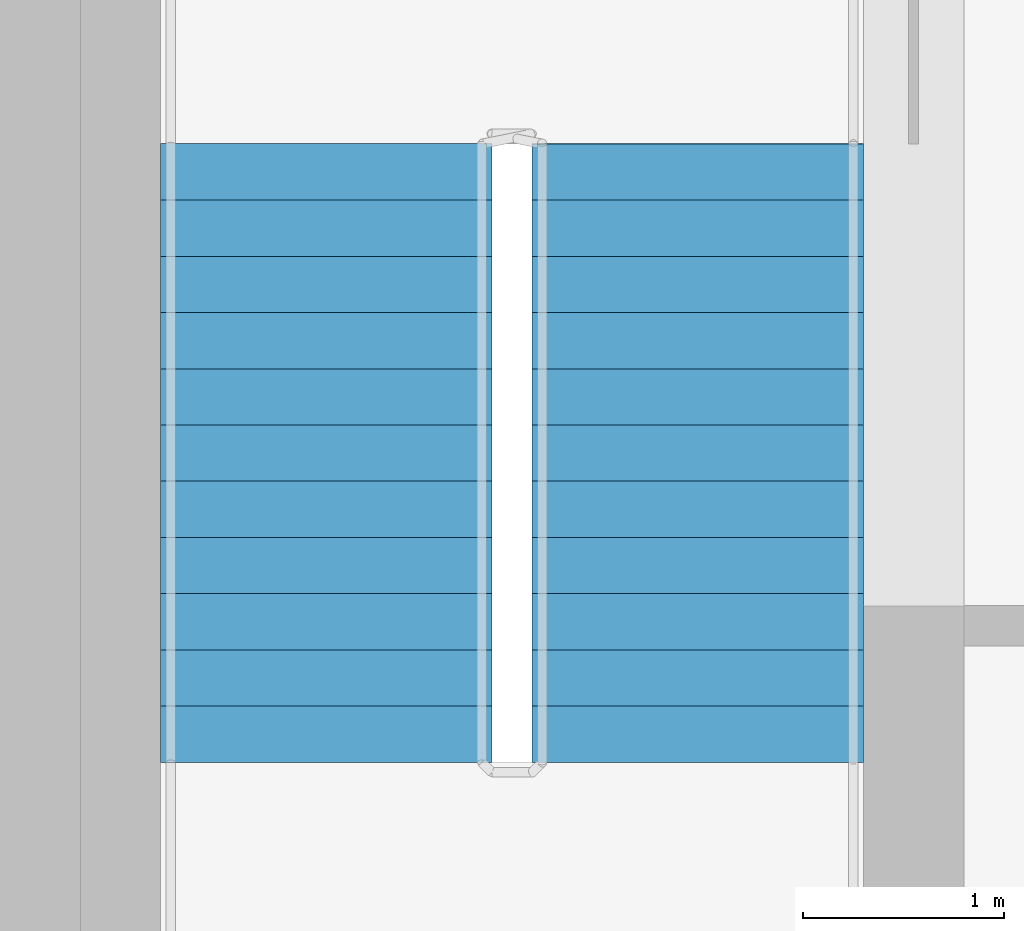
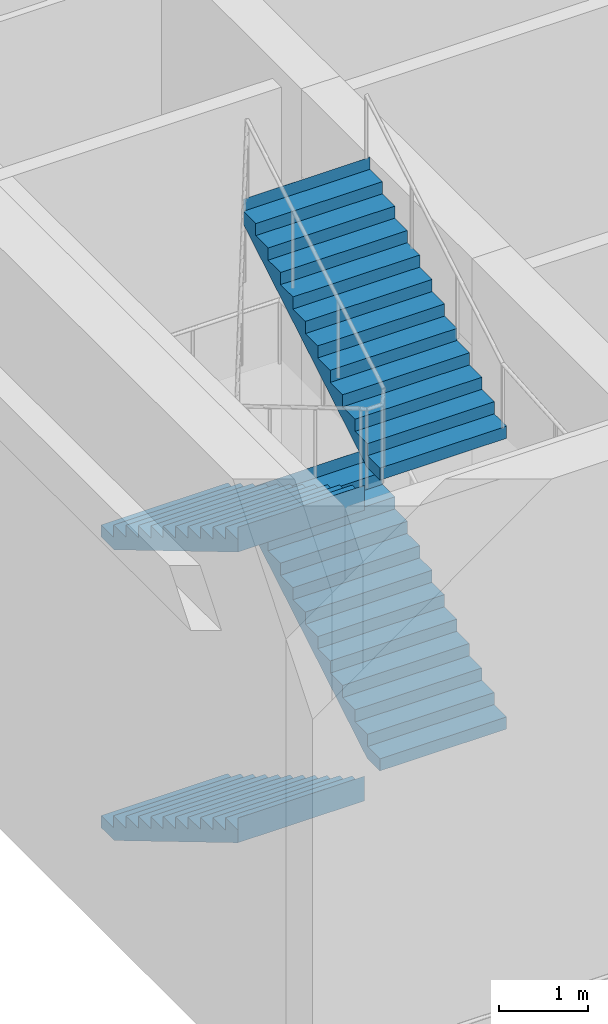
# One storey, part 4 of 11: 4 stair flights, 1 element without a shape of its own.
"""IFC4 building model written with IfcOpenShell, lengths in metres."""

from ifc_helpers import new_model, si_unit, direction, frame, origin, place, context, subcontext, project, spatial, polyline, outline, extrude, material, type_object, element, aggregate, save


model = new_model("IFC4")

# Units and contexts
model_context = context("Model", 3, precision=1e-05, world=origin(), true_north=direction((0.0, 1.0)))
body_context = subcontext(model_context, "Body", "Model", "MODEL_VIEW")
ifc_project = project(units=[si_unit("LENGTHUNIT", "METRE"), si_unit("AREAUNIT", "SQUARE_METRE"), si_unit("VOLUMEUNIT", "CUBIC_METRE"), si_unit("PLANEANGLEUNIT", "RADIAN"), si_unit("MASSUNIT", "GRAM", prefix="KILO")], contexts=[model_context])

# Site, building, storey
site_placement = place(None, origin())
site = spatial("IfcSite", under=ifc_project, at=site_placement, CompositionType="ELEMENT")
building_placement = place(site_placement, origin())
building = spatial("IfcBuilding", under=site, at=building_placement, Name="Tamorin Gate", CompositionType="ELEMENT")
storey_placement = place(building_placement, frame((0.0, 0.0, 258.199951171875)))
storey = spatial("IfcBuildingStorey", under=building, at=storey_placement, Name="L65", CompositionType="ELEMENT", Elevation=258.199951171875)

# Stair, stair flights
ifc_material = material(Name="Concrete C40/50", Category="concrete")
stair_type = type_object("IfcStairType", Name="Exit stair", PredefinedType="HALF_TURN_STAIR", material=ifc_material)
stair_placement = place(storey_placement, origin())
stair = element("IfcStair", 1, at=stair_placement, inside=storey, type_object=stair_type, Name="L65 stair ST1", PredefinedType="HALF_TURN_STAIR")
stair_flight_type = type_object("IfcStairFlightType", Name="Exit stair flight", PredefinedType="STRAIGHT", material=ifc_material)
stair_flight_1_placement = place(storey_placement, frame((31.824951171875, 66.5, 0.0), z_axis=(0.0, 0.0, 1.0), x_axis=(0.0, -1.0, 0.0)))
stair_flight_1 = element("IfcStairFlight", 2, at=stair_flight_1_placement, type_object=stair_flight_type, Name="ST1 flight 1", NumberOfRisers=12, NumberOfTreads=11, PredefinedType="STRAIGHT", RiserHeight=0.166666667, TreadLength=0.28, context=body_context, shape_type="SweptSolid", body=[
    extrude(outline(polyline([(-0.00048828125, 0.0), (-0.00048828125, 0.001708984375), (-0.00048828125, 0.00341796875), (-0.00048828125, 0.0048828125), (-0.00048828125, 0.006591796875), (-0.00048828125, 0.00830078125), (-0.00048828125, 0.010009765625), (-0.00048828125, 0.011474609375), (-0.00048828125, 0.01318359375), (-0.00048828125, 0.014892578125), (-0.00048828125, 0.0166015625), (-0.00048828125, 0.01806640625), (-0.00048828125, 0.019775390625), (-0.00048828125, 0.021484375), (-0.00048828125, 0.023193359375), (-0.00048828125, 0.024658203125), (-0.00048828125, 0.0263671875), (-0.00048828125, 0.028076171875), (-0.00048828125, 0.02978515625), (-0.00048828125, 0.03125), (-0.00048828125, 0.032958984375), (-0.00048828125, 0.03466796875), (-0.00048828125, 0.036376953125), (-0.00048828125, 0.037841796875), (-0.00048828125, 0.03955078125), (-0.00048828125, 0.041259765625), (-0.00048828125, 0.04296875), (-0.00048828125, 0.04443359375), (-0.00048828125, 0.046142578125), (-0.00048828125, 0.0478515625), (-0.00048828125, 0.049560546875), (-0.00048828125, 0.05126953125), (-0.00048828125, 0.052734375), (-0.00048828125, 0.054443359375), (-0.00048828125, 0.05615234375), (-0.00048828125, 0.057861328125), (-0.00048828125, 0.059326171875), (-0.00048828125, 0.06103515625), (-0.00048828125, 0.062744140625), (-0.00048828125, 0.064453125), (-0.00048828125, 0.06591796875), (-0.00048828125, 0.067626953125), (-0.00048828125, 0.0693359375), (-0.00048828125, 0.071044921875), (-0.00048828125, 0.072509765625), (-0.00048828125, 0.07421875), (-0.00048828125, 0.075927734375), (-0.00048828125, 0.07763671875), (-0.00048828125, 0.0791015625), (-0.00048828125, 0.080810546875), (-0.00048828125, 0.08251953125), (-0.00048828125, 0.084228515625), (-0.00048828125, 0.085693359375), (-0.00048828125, 0.08740234375), (-0.00048828125, 0.089111328125), (-0.00048828125, 0.0908203125), (-0.00048828125, 0.092529296875), (-0.00048828125, 0.093994140625), (-0.00048828125, 0.095703125), (-0.00048828125, 0.097412109375), (-0.00048828125, 0.09912109375), (-0.00048828125, 0.1005859375), (-0.00048828125, 0.102294921875), (-0.00048828125, 0.10400390625), (-0.00048828125, 0.105712890625), (-0.00048828125, 0.107177734375), (-0.00048828125, 0.10888671875), (-0.00048828125, 0.110595703125), (-0.00048828125, 0.1123046875), (-0.00048828125, 0.11376953125), (-0.00048828125, 0.115478515625), (-0.00048828125, 0.1171875), (-0.00048828125, 0.118896484375), (-0.00048828125, 0.120361328125), (-0.00048828125, 0.1220703125), (-0.00048828125, 0.123779296875), (-0.00048828125, 0.12548828125), (-0.00048828125, 0.126953125), (-0.00048828125, 0.128662109375), (-0.00048828125, 0.13037109375), (-0.00048828125, 0.132080078125), (-0.00048828125, 0.133544921875), (-0.00048828125, 0.13525390625), (-0.00048828125, 0.136962890625), (-0.00048828125, 0.138671875), (-0.00048828125, 0.140380859375), (-0.00048828125, 0.141845703125), (-0.00048828125, 0.1435546875), (-0.00048828125, 0.145263671875), (-0.00048828125, 0.14697265625), (-0.00048828125, 0.1484375), (-0.00048828125, 0.150146484375), (-0.00048828125, 0.15185546875), (-0.00048828125, 0.153564453125), (-0.00048828125, 0.155029296875), (-0.00048828125, 0.15673828125), (-0.00048828125, 0.158447265625), (-0.00048828125, 0.16015625), (-0.00048828125, 0.16162109375), (-0.00048828125, 0.163330078125), (-0.00048828125, 0.1650390625), (-0.00048828125, 0.166748046875), (0.280029296875, 0.166748046875), (0.280029296875, 0.333251953125), (0.56005859375, 0.333251953125), (0.56005859375, 0.5), (0.840087890625, 0.5), (0.840087890625, 0.666748046875), (1.1201171875, 0.666748046875), (1.1201171875, 0.833251953125), (1.39990234375, 0.833251953125), (1.39990234375, 1.0), (1.679931640625, 1.0), (1.679931640625, 1.166748046875), (1.9599609375, 1.166748046875), (1.9599609375, 1.333251953125), (2.239990234375, 1.333251953125), (2.239990234375, 1.5), (2.52001953125, 1.5), (2.52001953125, 1.666748046875), (2.800048828125, 1.666748046875), (2.800048828125, 1.833251953125), (3.080078125, 1.833251953125), (3.080078125, 2.0), (3.08056640625, 2.0), (3.08056640625, 1.99658203125), (3.08056640625, 1.9931640625), (3.08056640625, 1.98974609375), (3.08056640625, 1.986572265625), (3.08056640625, 1.983154296875), (3.08056640625, 1.979736328125), (3.08056640625, 1.976318359375), (3.08056640625, 1.972900390625), (3.08056640625, 1.969482421875), (3.08056640625, 1.96630859375), (3.08056640625, 1.962890625), (3.08056640625, 1.95947265625), (3.08056640625, 1.9560546875), (3.08056640625, 1.95263671875), (3.08056640625, 1.94921875), (3.08056640625, 1.946044921875), (3.08056640625, 1.942626953125), (3.08056640625, 1.939208984375), (3.08056640625, 1.935791015625), (3.08056640625, 1.932373046875), (3.08056640625, 1.928955078125), (3.08056640625, 1.92578125), (3.08056640625, 1.92236328125), (3.08056640625, 1.9189453125), (3.08056640625, 1.91552734375), (3.08056640625, 1.912109375), (3.08056640625, 1.90869140625), (3.08056640625, 1.905517578125), (3.08056640625, 1.902099609375), (3.08056640625, 1.898681640625), (3.08056640625, 1.895263671875), (3.08056640625, 1.891845703125), (3.08056640625, 1.888427734375), (3.08056640625, 1.88525390625), (3.08056640625, 1.8818359375), (3.08056640625, 1.87841796875), (3.08056640625, 1.875), (3.08056640625, 1.87158203125), (3.08056640625, 1.8681640625), (3.08056640625, 1.864990234375), (3.08056640625, 1.861572265625), (3.08056640625, 1.858154296875), (3.08056640625, 1.854736328125), (3.08056640625, 1.851318359375), (3.08056640625, 1.847900390625), (3.08056640625, 1.8447265625), (3.08056640625, 1.84130859375), (3.08056640625, 1.837890625), (3.08056640625, 1.83447265625), (3.08056640625, 1.8310546875), (3.08056640625, 1.82763671875), (3.08056640625, 1.824462890625), (3.08056640625, 1.821044921875), (3.08056640625, 1.817626953125), (3.08056640625, 1.814208984375), (3.08056640625, 1.810791015625), (3.08056640625, 1.807373046875), (3.08056640625, 1.80419921875), (3.08056640625, 1.80078125), (3.08056640625, 1.79736328125), (3.08056640625, 1.7939453125), (3.08056640625, 1.79052734375), (3.08056640625, 1.787109375), (3.08056640625, 1.783935546875), (3.08056640625, 1.780517578125), (3.08056640625, 1.777099609375), (3.08056640625, 1.773681640625), (3.08056640625, 1.770263671875), (3.08056640625, 1.766845703125), (3.08056640625, 1.763671875), (3.08056640625, 1.76025390625), (3.08056640625, 1.7568359375), (3.08056640625, 1.75341796875), (3.08056640625, 1.75), (3.08056640625, 1.74658203125), (3.08056640625, 1.743408203125), (3.08056640625, 1.739990234375), (3.08056640625, 1.736572265625), (3.08056640625, 1.733154296875), (3.08056640625, 1.729736328125), (3.08056640625, 1.726318359375), (3.08056640625, 1.72314453125), (3.08056640625, 1.7197265625), (3.08056640625, 1.71630859375), (3.08056640625, 1.712890625), (3.08056640625, 1.70947265625), (3.08056640625, 1.7060546875), (3.08056640625, 1.702880859375), (3.08056640625, 1.699462890625), (3.08056640625, 1.696044921875), (3.08056640625, 1.692626953125), (3.08056640625, 1.689208984375), (3.08056640625, 1.685791015625), (3.08056640625, 1.6826171875), (3.08056640625, 1.67919921875), (3.08056640625, 1.67578125), (3.08056640625, 1.67236328125), (3.08056640625, 1.6689453125), (3.08056640625, 1.66552734375), (3.08056640625, 1.662353515625), (3.08056640625, 1.658935546875), (3.080078125, 1.658935546875), (0.29296875, 0.0), (-0.00048828125, 0.0)])), frame((0.0, 0.824951171875, 0.0), z_axis=(0.0, -1.0, 0.0), x_axis=(1.0, 0.0, 0.0)), (0.0, 0.0, 1.0), 1.64990234375),
])
stair_flight_2_placement = place(storey_placement, frame((33.675048828125, 63.419921875, 2.0), z_axis=(0.0, 0.0, 1.0), x_axis=(0.0, 1.0, 0.0)))
stair_flight_2 = element("IfcStairFlight", 3, at=stair_flight_2_placement, type_object=stair_flight_type, Name="ST1 flight 2", NumberOfRisers=12, NumberOfTreads=11, PredefinedType="STRAIGHT", RiserHeight=0.166666667, TreadLength=0.28, context=body_context, shape_type="SweptSolid", body=[
    extrude(outline(polyline([(-0.00048828125, 0.0), (-0.00048828125, 0.001708984375), (-0.00048828125, 0.00341796875), (-0.00048828125, 0.0048828125), (-0.00048828125, 0.006591796875), (-0.00048828125, 0.00830078125), (-0.00048828125, 0.010009765625), (-0.00048828125, 0.011474609375), (-0.00048828125, 0.01318359375), (-0.00048828125, 0.014892578125), (-0.00048828125, 0.0166015625), (-0.00048828125, 0.01806640625), (-0.00048828125, 0.019775390625), (-0.00048828125, 0.021484375), (-0.00048828125, 0.023193359375), (-0.00048828125, 0.024658203125), (-0.00048828125, 0.0263671875), (-0.00048828125, 0.028076171875), (-0.00048828125, 0.02978515625), (-0.00048828125, 0.03125), (-0.00048828125, 0.032958984375), (-0.00048828125, 0.03466796875), (-0.00048828125, 0.036376953125), (-0.00048828125, 0.037841796875), (-0.00048828125, 0.03955078125), (-0.00048828125, 0.041259765625), (-0.00048828125, 0.04296875), (-0.00048828125, 0.04443359375), (-0.00048828125, 0.046142578125), (-0.00048828125, 0.0478515625), (-0.00048828125, 0.049560546875), (-0.00048828125, 0.05126953125), (-0.00048828125, 0.052734375), (-0.00048828125, 0.054443359375), (-0.00048828125, 0.05615234375), (-0.00048828125, 0.057861328125), (-0.00048828125, 0.059326171875), (-0.00048828125, 0.06103515625), (-0.00048828125, 0.062744140625), (-0.00048828125, 0.064453125), (-0.00048828125, 0.06591796875), (-0.00048828125, 0.067626953125), (-0.00048828125, 0.0693359375), (-0.00048828125, 0.071044921875), (-0.00048828125, 0.072509765625), (-0.00048828125, 0.07421875), (-0.00048828125, 0.075927734375), (-0.00048828125, 0.07763671875), (-0.00048828125, 0.0791015625), (-0.00048828125, 0.080810546875), (-0.00048828125, 0.08251953125), (-0.00048828125, 0.084228515625), (-0.00048828125, 0.085693359375), (-0.00048828125, 0.08740234375), (-0.00048828125, 0.089111328125), (-0.00048828125, 0.0908203125), (-0.00048828125, 0.092529296875), (-0.00048828125, 0.093994140625), (-0.00048828125, 0.095703125), (-0.00048828125, 0.097412109375), (-0.00048828125, 0.09912109375), (-0.00048828125, 0.1005859375), (-0.00048828125, 0.102294921875), (-0.00048828125, 0.10400390625), (-0.00048828125, 0.105712890625), (-0.00048828125, 0.107177734375), (-0.00048828125, 0.10888671875), (-0.00048828125, 0.110595703125), (-0.00048828125, 0.1123046875), (-0.00048828125, 0.11376953125), (-0.00048828125, 0.115478515625), (-0.00048828125, 0.1171875), (-0.00048828125, 0.118896484375), (-0.00048828125, 0.120361328125), (-0.00048828125, 0.1220703125), (-0.00048828125, 0.123779296875), (-0.00048828125, 0.12548828125), (-0.00048828125, 0.126953125), (-0.00048828125, 0.128662109375), (-0.00048828125, 0.13037109375), (-0.00048828125, 0.132080078125), (-0.00048828125, 0.133544921875), (-0.00048828125, 0.13525390625), (-0.00048828125, 0.136962890625), (-0.00048828125, 0.138671875), (-0.00048828125, 0.140380859375), (-0.00048828125, 0.141845703125), (-0.00048828125, 0.1435546875), (-0.00048828125, 0.145263671875), (-0.00048828125, 0.14697265625), (-0.00048828125, 0.1484375), (-0.00048828125, 0.150146484375), (-0.00048828125, 0.15185546875), (-0.00048828125, 0.153564453125), (-0.00048828125, 0.155029296875), (-0.00048828125, 0.15673828125), (-0.00048828125, 0.158447265625), (-0.00048828125, 0.16015625), (-0.00048828125, 0.16162109375), (-0.00048828125, 0.163330078125), (-0.00048828125, 0.1650390625), (-0.00048828125, 0.166748046875), (0.280029296875, 0.166748046875), (0.280029296875, 0.333251953125), (0.56005859375, 0.333251953125), (0.56005859375, 0.5), (0.840087890625, 0.5), (0.840087890625, 0.666748046875), (1.1201171875, 0.666748046875), (1.1201171875, 0.833251953125), (1.39990234375, 0.833251953125), (1.39990234375, 1.0), (1.679931640625, 1.0), (1.679931640625, 1.166748046875), (1.9599609375, 1.166748046875), (1.9599609375, 1.333251953125), (2.239990234375, 1.333251953125), (2.239990234375, 1.5), (2.52001953125, 1.5), (2.52001953125, 1.666748046875), (2.800048828125, 1.666748046875), (2.800048828125, 1.833251953125), (3.080078125, 1.833251953125), (3.080078125, 2.0), (3.08056640625, 2.0), (3.08056640625, 1.99658203125), (3.08056640625, 1.9931640625), (3.08056640625, 1.98974609375), (3.08056640625, 1.986572265625), (3.08056640625, 1.983154296875), (3.08056640625, 1.979736328125), (3.08056640625, 1.976318359375), (3.08056640625, 1.972900390625), (3.08056640625, 1.969482421875), (3.08056640625, 1.96630859375), (3.08056640625, 1.962890625), (3.08056640625, 1.95947265625), (3.08056640625, 1.9560546875), (3.08056640625, 1.95263671875), (3.08056640625, 1.94921875), (3.08056640625, 1.946044921875), (3.08056640625, 1.942626953125), (3.08056640625, 1.939208984375), (3.08056640625, 1.935791015625), (3.08056640625, 1.932373046875), (3.08056640625, 1.928955078125), (3.08056640625, 1.92578125), (3.08056640625, 1.92236328125), (3.08056640625, 1.9189453125), (3.08056640625, 1.91552734375), (3.08056640625, 1.912109375), (3.08056640625, 1.90869140625), (3.08056640625, 1.905517578125), (3.08056640625, 1.902099609375), (3.08056640625, 1.898681640625), (3.08056640625, 1.895263671875), (3.08056640625, 1.891845703125), (3.08056640625, 1.888427734375), (3.08056640625, 1.88525390625), (3.08056640625, 1.8818359375), (3.08056640625, 1.87841796875), (3.08056640625, 1.875), (3.08056640625, 1.87158203125), (3.08056640625, 1.8681640625), (3.08056640625, 1.864990234375), (3.08056640625, 1.861572265625), (3.08056640625, 1.858154296875), (3.08056640625, 1.854736328125), (3.08056640625, 1.851318359375), (3.08056640625, 1.847900390625), (3.08056640625, 1.8447265625), (3.08056640625, 1.84130859375), (3.08056640625, 1.837890625), (3.08056640625, 1.83447265625), (3.08056640625, 1.8310546875), (3.08056640625, 1.82763671875), (3.08056640625, 1.824462890625), (3.08056640625, 1.821044921875), (3.08056640625, 1.817626953125), (3.08056640625, 1.814208984375), (3.08056640625, 1.810791015625), (3.08056640625, 1.807373046875), (3.08056640625, 1.80419921875), (3.08056640625, 1.80078125), (3.08056640625, 1.79736328125), (3.08056640625, 1.7939453125), (3.08056640625, 1.79052734375), (3.08056640625, 1.787109375), (3.08056640625, 1.783935546875), (3.08056640625, 1.780517578125), (3.08056640625, 1.777099609375), (3.08056640625, 1.773681640625), (3.08056640625, 1.770263671875), (3.08056640625, 1.766845703125), (3.08056640625, 1.763671875), (3.08056640625, 1.76025390625), (3.08056640625, 1.7568359375), (3.08056640625, 1.75341796875), (3.08056640625, 1.75), (3.08056640625, 1.74658203125), (3.08056640625, 1.743408203125), (3.08056640625, 1.739990234375), (3.08056640625, 1.736572265625), (3.08056640625, 1.733154296875), (3.08056640625, 1.729736328125), (3.08056640625, 1.726318359375), (3.08056640625, 1.72314453125), (3.08056640625, 1.7197265625), (3.08056640625, 1.71630859375), (3.08056640625, 1.712890625), (3.08056640625, 1.70947265625), (3.08056640625, 1.7060546875), (3.08056640625, 1.702880859375), (3.08056640625, 1.699462890625), (3.08056640625, 1.696044921875), (3.08056640625, 1.692626953125), (3.08056640625, 1.689208984375), (3.08056640625, 1.685791015625), (3.08056640625, 1.6826171875), (3.08056640625, 1.67919921875), (3.08056640625, 1.67578125), (3.08056640625, 1.67236328125), (3.08056640625, 1.6689453125), (3.08056640625, 1.66552734375), (3.08056640625, 1.662353515625), (3.08056640625, 1.658935546875), (3.080078125, 1.658935546875), (0.29296875, 0.0), (-0.00048828125, 0.0)])), frame((0.0, 0.824951171875, 0.0), z_axis=(0.0, -1.0, 0.0), x_axis=(1.0, 0.0, 0.0)), (0.0, 0.0, 1.0), 1.64990234375),
])
stair_flight_3_placement = place(storey_placement, frame((31.824951171875, 66.5, 4.0), z_axis=(0.0, 0.0, 1.0), x_axis=(0.0, -1.0, 0.0)))
stair_flight_3 = element("IfcStairFlight", 4, at=stair_flight_3_placement, type_object=stair_flight_type, Name="ST1 flight 3", NumberOfRisers=12, NumberOfTreads=11, PredefinedType="STRAIGHT", RiserHeight=0.166666667, TreadLength=0.28, context=body_context, shape_type="SweptSolid", body=[
    extrude(outline(polyline([(-0.00048828125, 0.0), (-0.00048828125, 0.001708984375), (-0.00048828125, 0.00341796875), (-0.00048828125, 0.0048828125), (-0.00048828125, 0.006591796875), (-0.00048828125, 0.00830078125), (-0.00048828125, 0.010009765625), (-0.00048828125, 0.011474609375), (-0.00048828125, 0.01318359375), (-0.00048828125, 0.014892578125), (-0.00048828125, 0.0166015625), (-0.00048828125, 0.01806640625), (-0.00048828125, 0.019775390625), (-0.00048828125, 0.021484375), (-0.00048828125, 0.023193359375), (-0.00048828125, 0.024658203125), (-0.00048828125, 0.0263671875), (-0.00048828125, 0.028076171875), (-0.00048828125, 0.02978515625), (-0.00048828125, 0.03125), (-0.00048828125, 0.032958984375), (-0.00048828125, 0.03466796875), (-0.00048828125, 0.036376953125), (-0.00048828125, 0.037841796875), (-0.00048828125, 0.03955078125), (-0.00048828125, 0.041259765625), (-0.00048828125, 0.04296875), (-0.00048828125, 0.04443359375), (-0.00048828125, 0.046142578125), (-0.00048828125, 0.0478515625), (-0.00048828125, 0.049560546875), (-0.00048828125, 0.05126953125), (-0.00048828125, 0.052734375), (-0.00048828125, 0.054443359375), (-0.00048828125, 0.05615234375), (-0.00048828125, 0.057861328125), (-0.00048828125, 0.059326171875), (-0.00048828125, 0.06103515625), (-0.00048828125, 0.062744140625), (-0.00048828125, 0.064453125), (-0.00048828125, 0.06591796875), (-0.00048828125, 0.067626953125), (-0.00048828125, 0.0693359375), (-0.00048828125, 0.071044921875), (-0.00048828125, 0.072509765625), (-0.00048828125, 0.07421875), (-0.00048828125, 0.075927734375), (-0.00048828125, 0.07763671875), (-0.00048828125, 0.0791015625), (-0.00048828125, 0.080810546875), (-0.00048828125, 0.08251953125), (-0.00048828125, 0.084228515625), (-0.00048828125, 0.085693359375), (-0.00048828125, 0.08740234375), (-0.00048828125, 0.089111328125), (-0.00048828125, 0.0908203125), (-0.00048828125, 0.092529296875), (-0.00048828125, 0.093994140625), (-0.00048828125, 0.095703125), (-0.00048828125, 0.097412109375), (-0.00048828125, 0.09912109375), (-0.00048828125, 0.1005859375), (-0.00048828125, 0.102294921875), (-0.00048828125, 0.10400390625), (-0.00048828125, 0.105712890625), (-0.00048828125, 0.107177734375), (-0.00048828125, 0.10888671875), (-0.00048828125, 0.110595703125), (-0.00048828125, 0.1123046875), (-0.00048828125, 0.11376953125), (-0.00048828125, 0.115478515625), (-0.00048828125, 0.1171875), (-0.00048828125, 0.118896484375), (-0.00048828125, 0.120361328125), (-0.00048828125, 0.1220703125), (-0.00048828125, 0.123779296875), (-0.00048828125, 0.12548828125), (-0.00048828125, 0.126953125), (-0.00048828125, 0.128662109375), (-0.00048828125, 0.13037109375), (-0.00048828125, 0.132080078125), (-0.00048828125, 0.133544921875), (-0.00048828125, 0.13525390625), (-0.00048828125, 0.136962890625), (-0.00048828125, 0.138671875), (-0.00048828125, 0.140380859375), (-0.00048828125, 0.141845703125), (-0.00048828125, 0.1435546875), (-0.00048828125, 0.145263671875), (-0.00048828125, 0.14697265625), (-0.00048828125, 0.1484375), (-0.00048828125, 0.150146484375), (-0.00048828125, 0.15185546875), (-0.00048828125, 0.153564453125), (-0.00048828125, 0.155029296875), (-0.00048828125, 0.15673828125), (-0.00048828125, 0.158447265625), (-0.00048828125, 0.16015625), (-0.00048828125, 0.16162109375), (-0.00048828125, 0.163330078125), (-0.00048828125, 0.1650390625), (-0.00048828125, 0.166748046875), (0.280029296875, 0.166748046875), (0.280029296875, 0.333251953125), (0.56005859375, 0.333251953125), (0.56005859375, 0.5), (0.840087890625, 0.5), (0.840087890625, 0.666748046875), (1.1201171875, 0.666748046875), (1.1201171875, 0.833251953125), (1.39990234375, 0.833251953125), (1.39990234375, 1.0), (1.679931640625, 1.0), (1.679931640625, 1.166748046875), (1.9599609375, 1.166748046875), (1.9599609375, 1.333251953125), (2.239990234375, 1.333251953125), (2.239990234375, 1.5), (2.52001953125, 1.5), (2.52001953125, 1.666748046875), (2.800048828125, 1.666748046875), (2.800048828125, 1.833251953125), (3.080078125, 1.833251953125), (3.080078125, 2.0), (3.08056640625, 2.0), (3.08056640625, 1.99658203125), (3.08056640625, 1.9931640625), (3.08056640625, 1.98974609375), (3.08056640625, 1.986572265625), (3.08056640625, 1.983154296875), (3.08056640625, 1.979736328125), (3.08056640625, 1.976318359375), (3.08056640625, 1.972900390625), (3.08056640625, 1.969482421875), (3.08056640625, 1.96630859375), (3.08056640625, 1.962890625), (3.08056640625, 1.95947265625), (3.08056640625, 1.9560546875), (3.08056640625, 1.95263671875), (3.08056640625, 1.94921875), (3.08056640625, 1.946044921875), (3.08056640625, 1.942626953125), (3.08056640625, 1.939208984375), (3.08056640625, 1.935791015625), (3.08056640625, 1.932373046875), (3.08056640625, 1.928955078125), (3.08056640625, 1.92578125), (3.08056640625, 1.92236328125), (3.08056640625, 1.9189453125), (3.08056640625, 1.91552734375), (3.08056640625, 1.912109375), (3.08056640625, 1.90869140625), (3.08056640625, 1.905517578125), (3.08056640625, 1.902099609375), (3.08056640625, 1.898681640625), (3.08056640625, 1.895263671875), (3.08056640625, 1.891845703125), (3.08056640625, 1.888427734375), (3.08056640625, 1.88525390625), (3.08056640625, 1.8818359375), (3.08056640625, 1.87841796875), (3.08056640625, 1.875), (3.08056640625, 1.87158203125), (3.08056640625, 1.8681640625), (3.08056640625, 1.864990234375), (3.08056640625, 1.861572265625), (3.08056640625, 1.858154296875), (3.08056640625, 1.854736328125), (3.08056640625, 1.851318359375), (3.08056640625, 1.847900390625), (3.08056640625, 1.8447265625), (3.08056640625, 1.84130859375), (3.08056640625, 1.837890625), (3.08056640625, 1.83447265625), (3.08056640625, 1.8310546875), (3.08056640625, 1.82763671875), (3.08056640625, 1.824462890625), (3.08056640625, 1.821044921875), (3.08056640625, 1.817626953125), (3.08056640625, 1.814208984375), (3.08056640625, 1.810791015625), (3.08056640625, 1.807373046875), (3.08056640625, 1.80419921875), (3.08056640625, 1.80078125), (3.08056640625, 1.79736328125), (3.08056640625, 1.7939453125), (3.08056640625, 1.79052734375), (3.08056640625, 1.787109375), (3.08056640625, 1.783935546875), (3.08056640625, 1.780517578125), (3.08056640625, 1.777099609375), (3.08056640625, 1.773681640625), (3.08056640625, 1.770263671875), (3.08056640625, 1.766845703125), (3.08056640625, 1.763671875), (3.08056640625, 1.76025390625), (3.08056640625, 1.7568359375), (3.08056640625, 1.75341796875), (3.08056640625, 1.75), (3.08056640625, 1.74658203125), (3.08056640625, 1.743408203125), (3.08056640625, 1.739990234375), (3.08056640625, 1.736572265625), (3.08056640625, 1.733154296875), (3.08056640625, 1.729736328125), (3.08056640625, 1.726318359375), (3.08056640625, 1.72314453125), (3.08056640625, 1.7197265625), (3.08056640625, 1.71630859375), (3.08056640625, 1.712890625), (3.08056640625, 1.70947265625), (3.08056640625, 1.7060546875), (3.08056640625, 1.702880859375), (3.08056640625, 1.699462890625), (3.08056640625, 1.696044921875), (3.08056640625, 1.692626953125), (3.08056640625, 1.689208984375), (3.08056640625, 1.685791015625), (3.08056640625, 1.6826171875), (3.08056640625, 1.67919921875), (3.08056640625, 1.67578125), (3.08056640625, 1.67236328125), (3.08056640625, 1.6689453125), (3.08056640625, 1.66552734375), (3.08056640625, 1.662353515625), (3.08056640625, 1.658935546875), (3.080078125, 1.658935546875), (0.29296875, 0.0), (-0.00048828125, 0.0)])), frame((0.0, 0.824951171875, 0.0), z_axis=(0.0, -1.0, 0.0), x_axis=(1.0, 0.0, 0.0)), (0.0, 0.0, 1.0), 1.64990234375),
])
stair_flight_4_placement = place(storey_placement, frame((33.675048828125, 63.419921875, 6.0), z_axis=(0.0, 0.0, 1.0), x_axis=(0.0, 1.0, 0.0)))
stair_flight_4 = element("IfcStairFlight", 5, at=stair_flight_4_placement, type_object=stair_flight_type, Name="ST1 flight 4", NumberOfRisers=12, NumberOfTreads=11, PredefinedType="STRAIGHT", RiserHeight=0.166666667, TreadLength=0.28, context=body_context, shape_type="SweptSolid", body=[
    extrude(outline(polyline([(-0.00048828125, 0.0), (-0.00048828125, 0.001708984375), (-0.00048828125, 0.00341796875), (-0.00048828125, 0.0048828125), (-0.00048828125, 0.006591796875), (-0.00048828125, 0.00830078125), (-0.00048828125, 0.010009765625), (-0.00048828125, 0.011474609375), (-0.00048828125, 0.01318359375), (-0.00048828125, 0.014892578125), (-0.00048828125, 0.0166015625), (-0.00048828125, 0.01806640625), (-0.00048828125, 0.019775390625), (-0.00048828125, 0.021484375), (-0.00048828125, 0.023193359375), (-0.00048828125, 0.024658203125), (-0.00048828125, 0.0263671875), (-0.00048828125, 0.028076171875), (-0.00048828125, 0.02978515625), (-0.00048828125, 0.03125), (-0.00048828125, 0.032958984375), (-0.00048828125, 0.03466796875), (-0.00048828125, 0.036376953125), (-0.00048828125, 0.037841796875), (-0.00048828125, 0.03955078125), (-0.00048828125, 0.041259765625), (-0.00048828125, 0.04296875), (-0.00048828125, 0.04443359375), (-0.00048828125, 0.046142578125), (-0.00048828125, 0.0478515625), (-0.00048828125, 0.049560546875), (-0.00048828125, 0.05126953125), (-0.00048828125, 0.052734375), (-0.00048828125, 0.054443359375), (-0.00048828125, 0.05615234375), (-0.00048828125, 0.057861328125), (-0.00048828125, 0.059326171875), (-0.00048828125, 0.06103515625), (-0.00048828125, 0.062744140625), (-0.00048828125, 0.064453125), (-0.00048828125, 0.06591796875), (-0.00048828125, 0.067626953125), (-0.00048828125, 0.0693359375), (-0.00048828125, 0.071044921875), (-0.00048828125, 0.072509765625), (-0.00048828125, 0.07421875), (-0.00048828125, 0.075927734375), (-0.00048828125, 0.07763671875), (-0.00048828125, 0.0791015625), (-0.00048828125, 0.080810546875), (-0.00048828125, 0.08251953125), (-0.00048828125, 0.084228515625), (-0.00048828125, 0.085693359375), (-0.00048828125, 0.08740234375), (-0.00048828125, 0.089111328125), (-0.00048828125, 0.0908203125), (-0.00048828125, 0.092529296875), (-0.00048828125, 0.093994140625), (-0.00048828125, 0.095703125), (-0.00048828125, 0.097412109375), (-0.00048828125, 0.09912109375), (-0.00048828125, 0.1005859375), (-0.00048828125, 0.102294921875), (-0.00048828125, 0.10400390625), (-0.00048828125, 0.105712890625), (-0.00048828125, 0.107177734375), (-0.00048828125, 0.10888671875), (-0.00048828125, 0.110595703125), (-0.00048828125, 0.1123046875), (-0.00048828125, 0.11376953125), (-0.00048828125, 0.115478515625), (-0.00048828125, 0.1171875), (-0.00048828125, 0.118896484375), (-0.00048828125, 0.120361328125), (-0.00048828125, 0.1220703125), (-0.00048828125, 0.123779296875), (-0.00048828125, 0.12548828125), (-0.00048828125, 0.126953125), (-0.00048828125, 0.128662109375), (-0.00048828125, 0.13037109375), (-0.00048828125, 0.132080078125), (-0.00048828125, 0.133544921875), (-0.00048828125, 0.13525390625), (-0.00048828125, 0.136962890625), (-0.00048828125, 0.138671875), (-0.00048828125, 0.140380859375), (-0.00048828125, 0.141845703125), (-0.00048828125, 0.1435546875), (-0.00048828125, 0.145263671875), (-0.00048828125, 0.14697265625), (-0.00048828125, 0.1484375), (-0.00048828125, 0.150146484375), (-0.00048828125, 0.15185546875), (-0.00048828125, 0.153564453125), (-0.00048828125, 0.155029296875), (-0.00048828125, 0.15673828125), (-0.00048828125, 0.158447265625), (-0.00048828125, 0.16015625), (-0.00048828125, 0.16162109375), (-0.00048828125, 0.163330078125), (-0.00048828125, 0.1650390625), (-0.00048828125, 0.166748046875), (0.280029296875, 0.166748046875), (0.280029296875, 0.333251953125), (0.56005859375, 0.333251953125), (0.56005859375, 0.5), (0.840087890625, 0.5), (0.840087890625, 0.666748046875), (1.1201171875, 0.666748046875), (1.1201171875, 0.833251953125), (1.39990234375, 0.833251953125), (1.39990234375, 1.0), (1.679931640625, 1.0), (1.679931640625, 1.166748046875), (1.9599609375, 1.166748046875), (1.9599609375, 1.333251953125), (2.239990234375, 1.333251953125), (2.239990234375, 1.5), (2.52001953125, 1.5), (2.52001953125, 1.666748046875), (2.800048828125, 1.666748046875), (2.800048828125, 1.833251953125), (3.080078125, 1.833251953125), (3.080078125, 2.0), (3.08056640625, 2.0), (3.08056640625, 1.99658203125), (3.08056640625, 1.9931640625), (3.08056640625, 1.98974609375), (3.08056640625, 1.986572265625), (3.08056640625, 1.983154296875), (3.08056640625, 1.979736328125), (3.08056640625, 1.976318359375), (3.08056640625, 1.972900390625), (3.08056640625, 1.969482421875), (3.08056640625, 1.96630859375), (3.08056640625, 1.962890625), (3.08056640625, 1.95947265625), (3.08056640625, 1.9560546875), (3.08056640625, 1.95263671875), (3.08056640625, 1.94921875), (3.08056640625, 1.946044921875), (3.08056640625, 1.942626953125), (3.08056640625, 1.939208984375), (3.08056640625, 1.935791015625), (3.08056640625, 1.932373046875), (3.08056640625, 1.928955078125), (3.08056640625, 1.92578125), (3.08056640625, 1.92236328125), (3.08056640625, 1.9189453125), (3.08056640625, 1.91552734375), (3.08056640625, 1.912109375), (3.08056640625, 1.90869140625), (3.08056640625, 1.905517578125), (3.08056640625, 1.902099609375), (3.08056640625, 1.898681640625), (3.08056640625, 1.895263671875), (3.08056640625, 1.891845703125), (3.08056640625, 1.888427734375), (3.08056640625, 1.88525390625), (3.08056640625, 1.8818359375), (3.08056640625, 1.87841796875), (3.08056640625, 1.875), (3.08056640625, 1.87158203125), (3.08056640625, 1.8681640625), (3.08056640625, 1.864990234375), (3.08056640625, 1.861572265625), (3.08056640625, 1.858154296875), (3.08056640625, 1.854736328125), (3.08056640625, 1.851318359375), (3.08056640625, 1.847900390625), (3.08056640625, 1.8447265625), (3.08056640625, 1.84130859375), (3.08056640625, 1.837890625), (3.08056640625, 1.83447265625), (3.08056640625, 1.8310546875), (3.08056640625, 1.82763671875), (3.08056640625, 1.824462890625), (3.08056640625, 1.821044921875), (3.08056640625, 1.817626953125), (3.08056640625, 1.814208984375), (3.08056640625, 1.810791015625), (3.08056640625, 1.807373046875), (3.08056640625, 1.80419921875), (3.08056640625, 1.80078125), (3.08056640625, 1.79736328125), (3.08056640625, 1.7939453125), (3.08056640625, 1.79052734375), (3.08056640625, 1.787109375), (3.08056640625, 1.783935546875), (3.08056640625, 1.780517578125), (3.08056640625, 1.777099609375), (3.08056640625, 1.773681640625), (3.08056640625, 1.770263671875), (3.08056640625, 1.766845703125), (3.08056640625, 1.763671875), (3.08056640625, 1.76025390625), (3.08056640625, 1.7568359375), (3.08056640625, 1.75341796875), (3.08056640625, 1.75), (3.08056640625, 1.74658203125), (3.08056640625, 1.743408203125), (3.08056640625, 1.739990234375), (3.08056640625, 1.736572265625), (3.08056640625, 1.733154296875), (3.08056640625, 1.729736328125), (3.08056640625, 1.726318359375), (3.08056640625, 1.72314453125), (3.08056640625, 1.7197265625), (3.08056640625, 1.71630859375), (3.08056640625, 1.712890625), (3.08056640625, 1.70947265625), (3.08056640625, 1.7060546875), (3.08056640625, 1.702880859375), (3.08056640625, 1.699462890625), (3.08056640625, 1.696044921875), (3.08056640625, 1.692626953125), (3.08056640625, 1.689208984375), (3.08056640625, 1.685791015625), (3.08056640625, 1.6826171875), (3.08056640625, 1.67919921875), (3.08056640625, 1.67578125), (3.08056640625, 1.67236328125), (3.08056640625, 1.6689453125), (3.08056640625, 1.66552734375), (3.08056640625, 1.662353515625), (3.08056640625, 1.658935546875), (3.080078125, 1.658935546875), (0.29296875, 0.0), (-0.00048828125, 0.0)])), frame((0.0, 0.824951171875, 0.0), z_axis=(0.0, -1.0, 0.0), x_axis=(1.0, 0.0, 0.0)), (0.0, 0.0, 1.0), 1.64990234375),
])
aggregate(stair, [stair_flight_1, stair_flight_2, stair_flight_3, stair_flight_4])

save(model, "model.ifc")
